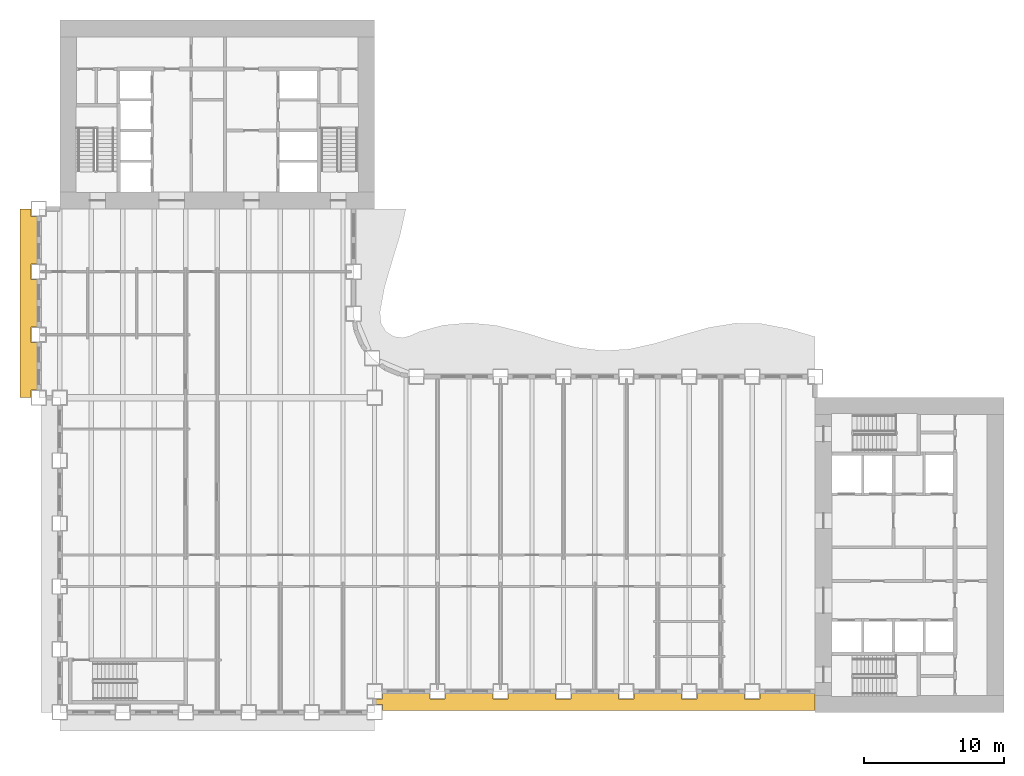
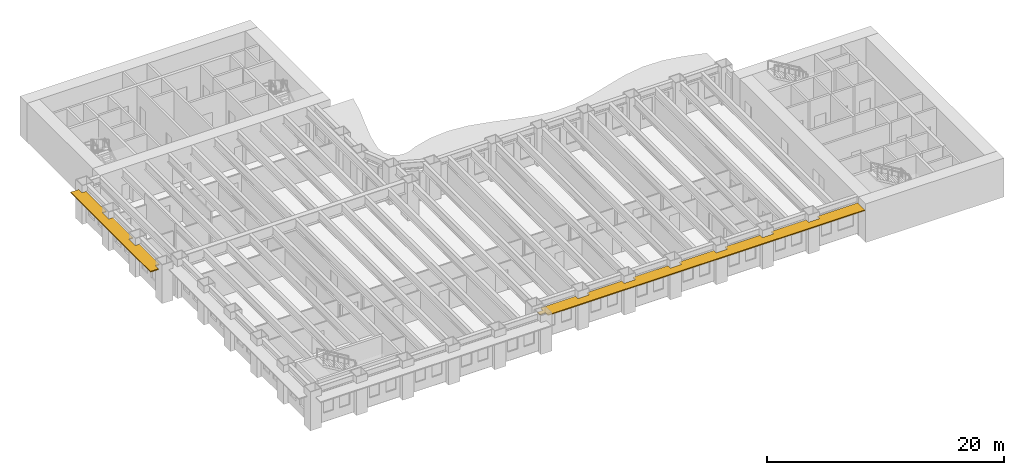
# One storey, part 12 of 16: 2 shading devices.
"""IFC4 building model written with IfcOpenShell, lengths in metres."""

import ifcopenshell
import ifcopenshell.guid

model = None  # the IFC model being written
_history = None  # IfcOwnerHistory: only IFC2X3 demands one
_inside = {}  # id of a spatial element -> (the spatial element, [elements in it])
_under = {}  # id of a project, library or spatial element -> (it, [spatial elements below it])
_declared = {}  # id of a project -> (the project, [libraries it declares])
_typed = {}  # id of a type object -> (the type object, [elements of that type])
_made_of = {}  # id of a material, layer set ... -> (it, [elements and type objects made of it])


def new_model(schema):
    """Start an empty IFC model of exactly this schema.

    Asked for "IFC4X3", IfcOpenShell would pick the latest addendum, in which some entities
    have other attributes; the version numbers below select the first issue.
    IFC2X3 requires an IfcOwnerHistory on every rooted entity: one is made here for all.
    """
    global model, _history
    if schema == "IFC4X3":
        model = ifcopenshell.file(schema_version=(4, 3, 0, 0))
    else:
        model = ifcopenshell.file(schema=schema)
    _inside.clear()
    _under.clear()
    _declared.clear()
    _typed.clear()
    _made_of.clear()
    _history = None
    if model.schema == "IFC2X3":
        org = make("IfcOrganization", Name="unknown")
        user = make(
            "IfcPersonAndOrganization",
            ThePerson=make("IfcPerson", FamilyName="unknown"),
            TheOrganization=org,
        )
        app = make(
            "IfcApplication",
            ApplicationDeveloper=org,
            Version="unknown",
            ApplicationFullName="unknown",
            ApplicationIdentifier="unknown",
        )
        _history = make(
            "IfcOwnerHistory",
            OwningUser=user,
            OwningApplication=app,
            ChangeAction="ADDED",
            CreationDate=0,
        )
    return model


def make(cls, **values):
    """One entity of the class cls with the attributes given. An attribute that is None is left unset."""
    return model.create_entity(
        cls, **{name: value for name, value in values.items() if value is not None}
    )


def rooted(cls, **values):
    """An entity with a GlobalId (a new one), such as an element, a storey or a relation."""
    return make(cls, GlobalId=ifcopenshell.guid.new(), OwnerHistory=_history, **values)


def si_unit(unit_type, name, prefix=None):
    """IfcSIUnit, for example si_unit("LENGTHUNIT", "METRE", prefix="MILLI")."""
    return make("IfcSIUnit", UnitType=unit_type, Prefix=prefix, Name=name)


def assignment(units):
    """IfcUnitAssignment: the units of a project."""
    return None if units is None else make("IfcUnitAssignment", Units=units)


def point(xyz):
    """IfcCartesianPoint."""
    return None if xyz is None else make("IfcCartesianPoint", Coordinates=xyz)


def direction(xyz):
    """IfcDirection."""
    return None if xyz is None else make("IfcDirection", DirectionRatios=xyz)


def frame(location, z_axis=None, x_axis=None):
    """IfcAxis2Placement3D, a coordinate frame: its origin and axes. An axis left out is left unset."""
    return make(
        "IfcAxis2Placement3D",
        Location=point(location),
        Axis=direction(z_axis),
        RefDirection=direction(x_axis),
    )


def origin():
    """The frame at (0, 0, 0) with its axes left unset."""
    return frame((0.0, 0.0, 0.0))


def place(relative_to, where):
    """IfcLocalPlacement: puts the frame where relative to a parent placement (None: the world)."""
    return make(
        "IfcLocalPlacement", PlacementRelTo=relative_to, RelativePlacement=where
    )


def context(
    kind, dimensions, precision=None, world=None, true_north=None, identifier=None
):
    """IfcGeometricRepresentationContext, for example the 3D "Model" context."""
    return make(
        "IfcGeometricRepresentationContext",
        ContextIdentifier=identifier,
        ContextType=kind,
        CoordinateSpaceDimension=dimensions,
        Precision=precision,
        WorldCoordinateSystem=world,
        TrueNorth=true_north,
    )


def subcontext(parent, identifier, kind, view, scale=None):
    """IfcGeometricRepresentationSubContext, for example "Body" below "Model"."""
    return make(
        "IfcGeometricRepresentationSubContext",
        ContextIdentifier=identifier,
        ContextType=kind,
        ParentContext=parent,
        TargetScale=scale,
        TargetView=view,
    )


def project(units=None, contexts=None):
    """IfcProject with its units and contexts."""
    return rooted(
        "IfcProject",
        Name="project",
        RepresentationContexts=contexts,
        UnitsInContext=assignment(units),
    )


def spatial(cls, under=None, at=None, **own):
    """A site, building, storey or space (cls), placed at a placement, below another one or the project."""
    s = rooted(cls, ObjectPlacement=at, **own)
    if under is not None:
        _under.setdefault(under.id(), (under, []))[1].append(s)
    return s


def polyline(points):
    """IfcPolyline through the points."""
    return make("IfcPolyline", Points=[point(p) for p in points])


def outline(outer, holes=None, kind="AREA"):
    """IfcArbitraryClosedProfileDef: a profile drawn as a closed curve; with holes, ...WithVoids."""
    if holes is None:
        return make("IfcArbitraryClosedProfileDef", ProfileType=kind, OuterCurve=outer)
    return make(
        "IfcArbitraryProfileDefWithVoids",
        ProfileType=kind,
        OuterCurve=outer,
        InnerCurves=holes,
    )


def extrude(swept, where, along, depth):
    """IfcExtrudedAreaSolid: the profile swept, set in the frame where, extruded along a direction by depth."""
    return make(
        "IfcExtrudedAreaSolid",
        SweptArea=swept,
        Position=where,
        ExtrudedDirection=direction(along),
        Depth=depth,
    )


def shape(context_of_items, identifier, shape_type, items):
    """IfcShapeRepresentation: the items that make up one representation, for example the "Body"."""
    return make(
        "IfcShapeRepresentation",
        ContextOfItems=context_of_items,
        RepresentationIdentifier=identifier,
        RepresentationType=shape_type,
        Items=items,
    )


def material(Name=None, Category=None):
    """IfcMaterial."""
    return make("IfcMaterial", Name=Name, Category=Category)


def layer(
    of_material, thickness, ventilated=None, Name=None, Category=None, Priority=None
):
    """IfcMaterialLayer: one layer of a wall or slab, of a material (None: an air gap)."""
    return make(
        "IfcMaterialLayer",
        Material=of_material,
        LayerThickness=thickness,
        IsVentilated=ventilated,
        Name=Name,
        Category=Category,
        Priority=Priority,
    )


def layer_set(layers, Name=None):
    """IfcMaterialLayerSet."""
    return make("IfcMaterialLayerSet", MaterialLayers=layers, LayerSetName=Name)


def made_of(thing, what):
    """Note that an element or type object is made of a material, layer set ...; save() writes the relation."""
    if what is not None:
        _made_of.setdefault(what.id(), (what, []))[1].append(thing)
    return thing


def type_object(cls, material=None, **own):
    """A type object (cls), such as IfcWallType, which elements share."""
    return made_of(rooted(cls, **own), material)


def element(
    cls,
    number,
    at=None,
    inside=None,
    cuts=None,
    type_object=None,
    material=None,
    context=None,
    identifier="Body",
    shape_type=None,
    held_by="IfcProductDefinitionShape",
    body=None,
    shapes=None,
    **own,
):
    """One element of the class cls, such as IfcWall. Its Tag is "e" and its number.

    at: its placement. inside: the storey or other place that contains it. cuts: it is an
    opening in that element (IfcRelVoidsElement). A single representation is given by context,
    identifier, shape_type and body (its items); several are given by shapes. held_by: the class
    of the entity that holds the representations. save() writes the other relations.
    """
    e = rooted(cls, Tag="e%d" % number, ObjectPlacement=at, **own)
    if body is not None:
        shapes = [shape(context, identifier, shape_type, body)]
    if shapes is not None:
        e.Representation = make(held_by, Representations=shapes)
    if inside is not None:
        _inside.setdefault(inside.id(), (inside, []))[1].append(e)
    if cuts is not None:
        rooted(
            "IfcRelVoidsElement", RelatingBuildingElement=cuts, RelatedOpeningElement=e
        )
    if type_object is not None:
        _typed.setdefault(type_object.id(), (type_object, []))[1].append(e)
    return made_of(e, material)


def aggregate(whole, parts):
    """IfcRelAggregates: a whole, such as a stair, and the parts it consists of."""
    return rooted("IfcRelAggregates", RelatingObject=whole, RelatedObjects=parts)


def save(model, path):
    """Write the relations noted so far, then the file.

    IfcRelAggregates (storeys below a building ...), IfcRelContainedInSpatialStructure (elements
    in a storey), IfcRelDefinesByType, IfcRelAssociatesMaterial and IfcRelDeclares: one each for
    every whole, place, type object, material and project.
    """
    for whole, parts in _under.values():
        aggregate(whole, parts)
    for where, things in _inside.values():
        rooted(
            "IfcRelContainedInSpatialStructure",
            RelatedElements=things,
            RelatingStructure=where,
        )
    for kind, things in _typed.values():
        rooted("IfcRelDefinesByType", RelatedObjects=things, RelatingType=kind)
    for what, things in _made_of.values():
        rooted("IfcRelAssociatesMaterial", RelatedObjects=things, RelatingMaterial=what)
    for by, libraries in _declared.values():
        rooted("IfcRelDeclares", RelatingContext=by, RelatedDefinitions=libraries)
    model.write(path)


model = new_model("IFC4")

# Units and contexts
model_context = context("Model", 3, precision=1e-05, world=origin(), true_north=direction((0.0, 1.0)))
body_context = subcontext(model_context, "Body", "Model", "MODEL_VIEW")
ifc_project = project(units=[si_unit("LENGTHUNIT", "METRE"), si_unit("AREAUNIT", "SQUARE_METRE"), si_unit("VOLUMEUNIT", "CUBIC_METRE"), si_unit("PLANEANGLEUNIT", "RADIAN"), si_unit("MASSUNIT", "GRAM", prefix="KILO")], contexts=[model_context])

# Site, building, storey
site_placement = place(None, origin())
site = spatial("IfcSite", under=ifc_project, at=site_placement, CompositionType="ELEMENT")
building_placement = place(site_placement, origin())
building = spatial("IfcBuilding", under=site, at=building_placement, Name="Sennacour Bend Tower", CompositionType="ELEMENT")
storey_placement = place(building_placement, frame((0.0, 0.0, 69.0)))
storey = spatial("IfcBuildingStorey", under=building, at=storey_placement, Name="L15", CompositionType="ELEMENT", Elevation=69.0)

# Shading devices
ifc_material = material(Name="Bronze anodised aluminium", Category="aluminium")
ifc_layer = layer(ifc_material, 0.10009765625, Name="Bronze anodised aluminium", Category="aluminium")
ifc_layer_set = layer_set([ifc_layer], Name="Bronze anodised aluminium")
shading_device_type = type_object("IfcShadingDeviceType", Name="SUNSHADE BAND STRAIGHT", PredefinedType="USERDEFINED", material=ifc_layer_set)
shading_device_1_placement = place(storey_placement, frame((0.0, 0.0, 3.0439453125)))
element("IfcShadingDevice", 1, at=shading_device_1_placement, inside=storey, type_object=shading_device_type, Name="Sunshade band L15 A outer face", ObjectType="SUNSHADE", PredefinedType="USERDEFINED", context=body_context, shape_type="SweptSolid", body=[
    extrude(outline(polyline([(26.449951171875, 1.35009765625), (26.449951171875, 0.949951171875), (27.550048828125, 0.949951171875), (27.550048828125, 1.35009765625), (30.949951171875, 1.35009765625), (30.949951171875, 0.949951171875), (32.050048828125, 0.949951171875), (32.050048828125, 1.35009765625), (35.449951171875, 1.35009765625), (35.449951171875, 0.949951171875), (36.550048828125, 0.949951171875), (36.550048828125, 1.35009765625), (39.949951171875, 1.35009765625), (39.949951171875, 0.949951171875), (41.050048828125, 0.949951171875), (41.050048828125, 1.35009765625), (44.449951171875, 1.35009765625), (44.449951171875, 0.949951171875), (45.550048828125, 0.949951171875), (45.550048828125, 1.35009765625), (48.949951171875, 1.35009765625), (48.949951171875, 0.949951171875), (50.050048828125, 0.949951171875), (50.050048828125, 1.35009765625), (54.0, 1.35009765625), (54.0, 0.14990234375), (23.050048828125, 0.14990234375), (23.050048828125, 0.550048828125), (22.5, 0.550048828125), (22.5, 0.949951171875), (23.050048828125, 0.949951171875), (23.050048828125, 1.35009765625), (26.449951171875, 1.35009765625)])), origin(), (0.0, 0.0, 1.0), 0.10009765625),
])
shading_device_2_placement = place(storey_placement, frame((0.0, 0.0, 3.0439453125)))
element("IfcShadingDevice", 2, at=shading_device_2_placement, inside=storey, type_object=shading_device_type, Name="Sunshade band L15 B outer face", ObjectType="SUNSHADE", PredefinedType="USERDEFINED", context=body_context, shape_type="SweptSolid", body=[
    extrude(outline(polyline([(-1.64990234375, 32.050048828125), (-2.050048828125, 32.050048828125), (-2.050048828125, 30.949951171875), (-1.64990234375, 30.949951171875), (-1.64990234375, 27.550048828125), (-2.050048828125, 27.550048828125), (-2.050048828125, 26.449951171875), (-1.64990234375, 26.449951171875), (-1.64990234375, 23.050048828125), (-2.050048828125, 23.050048828125), (-2.050048828125, 22.5), (-2.85009765625, 22.5), (-2.85009765625, 36.0), (-2.050048828125, 36.0), (-2.050048828125, 35.449951171875), (-1.64990234375, 35.449951171875), (-1.64990234375, 32.050048828125)])), origin(), (0.0, 0.0, 1.0), 0.10009765625),
])

save(model, "model.ifc")
